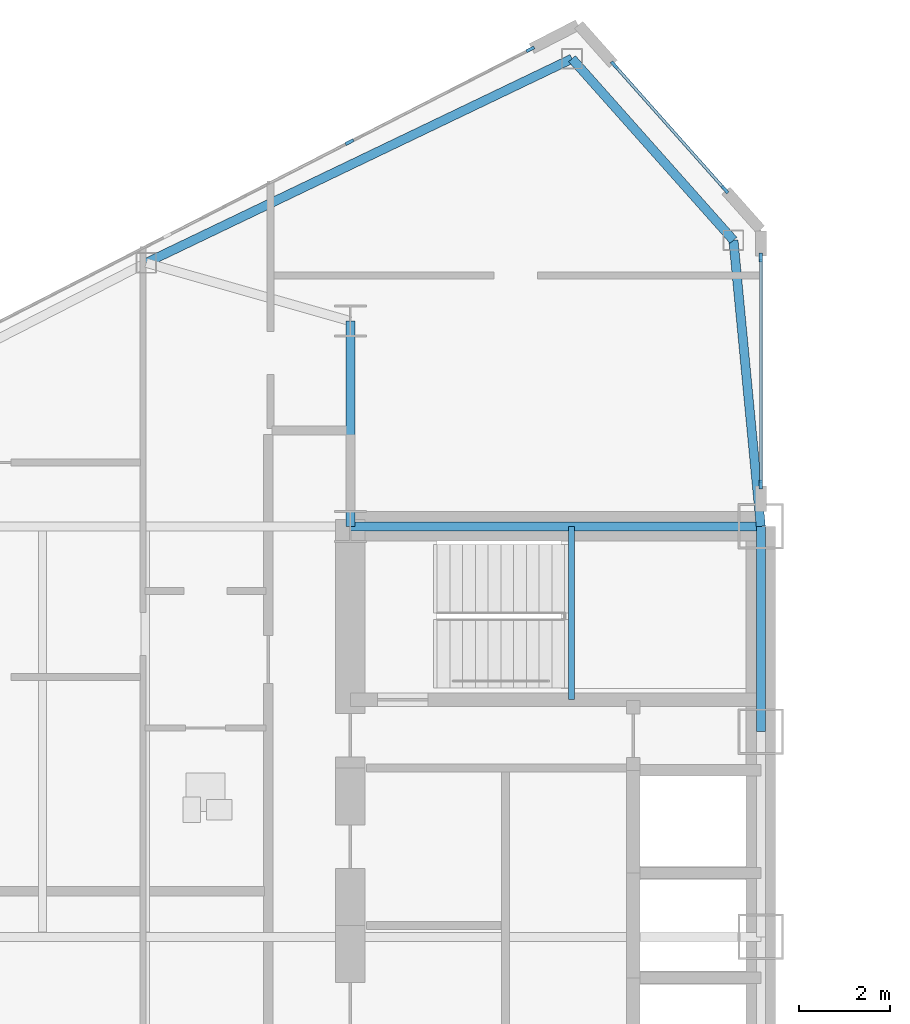
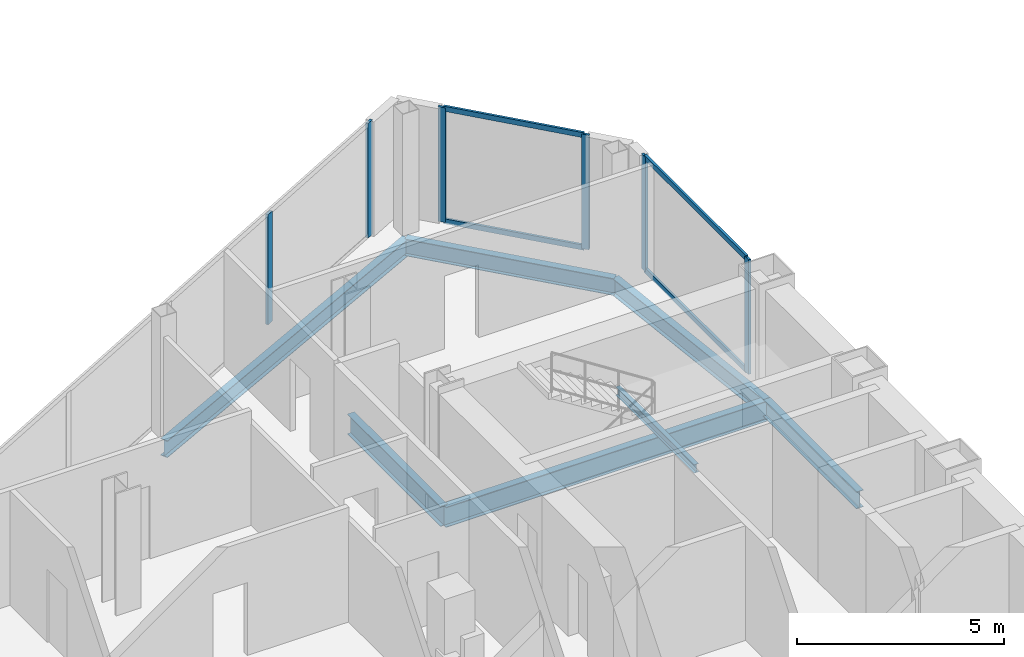
# One storey, part 7 of 24: 10 members, 7 beams, 3 elements without a shape of their own.
"""IFC4 building model written with IfcOpenShell, lengths in metres."""

from ifc_helpers import new_model, si_unit, direction, frame, origin, origin_2d, place, context, subcontext, project, spatial, rectangle, i_section, extrude, source, transform, mapped, material, layer, layer_set, material_profile, profile_set, type_object, type_shapes, element, aggregate, save


model = new_model("IFC4")

# Units and contexts
model_context = context("Model", 3, precision=1e-05, world=origin(), true_north=direction((0.0, 1.0)))
body_context = subcontext(model_context, "Body", "Model", "MODEL_VIEW")
ifc_project = project(units=[si_unit("LENGTHUNIT", "METRE"), si_unit("AREAUNIT", "SQUARE_METRE"), si_unit("VOLUMEUNIT", "CUBIC_METRE"), si_unit("PLANEANGLEUNIT", "RADIAN"), si_unit("MASSUNIT", "GRAM", prefix="KILO")], contexts=[model_context])

# Site, building, storey
site_placement = place(None, origin())
site = spatial("IfcSite", under=ifc_project, at=site_placement, CompositionType="ELEMENT")
building_placement = place(site_placement, origin())
building = spatial("IfcBuilding", under=site, at=building_placement, Name="Seokmaru Belvedere", CompositionType="ELEMENT")
storey_placement = place(building_placement, frame((0.0, 0.0, 114.0)))
storey = spatial("IfcBuildingStorey", under=building, at=storey_placement, Name="L30", CompositionType="ELEMENT", Elevation=114.0)

# Beams
ifc_material_1 = material(Name="Steel SM355 (355 MPa)", Category="steel")
ifc_material_profile_1 = material_profile(ifc_material_1, i_section(OverallWidth=0.199951171875, OverallDepth=0.5, WebThickness=0.010009765625, FlangeThickness=0.01611328125, at=origin_2d()), Name="H-500x200x10x16")
ifc_profile_set_1 = profile_set([ifc_material_profile_1], Name="Steel SM355 (355 MPa)")
beam_type_1 = type_object("IfcBeamType", Name="Perimeter Spandrel Beam H-500", PredefinedType="SPANDREL", material=ifc_profile_set_1)
shared_shape_1 = source(origin(), body_context, "Body", "SweptSolid", [
    extrude(i_section(OverallWidth=0.199951171875, OverallDepth=0.5, WebThickness=0.010009765625, FlangeThickness=0.01611328125, at=origin_2d()), origin(), (0.0, 0.0, 1.0), 4.5),
])
beam_1_placement = place(storey_placement, frame((-27.5, 9.0, -0.469970703125), z_axis=(0.0, 1.0, 0.0), x_axis=(-1.0, 0.0, 0.0)))
element("IfcBeam", 1, at=beam_1_placement, inside=storey, type_object=beam_type_1, Name="L30 W Portal Spine Spandrel 5", PredefinedType="SPANDREL", context=body_context, shape_type="MappedRepresentation", body=[
    mapped(shared_shape_1, transform((0.0, 0.0, 0.0), scale=1.0)),
])
ifc_material_profile_2 = material_profile(ifc_material_1, i_section(OverallWidth=0.199951171875, OverallDepth=0.60009765625, WebThickness=0.010986328125, FlangeThickness=0.01708984375, at=origin_2d()), Name="H-600x200x11x17")
ifc_profile_set_2 = profile_set([ifc_material_profile_2], Name="Steel SM355 (355 MPa)")
beam_type_2 = type_object("IfcBeamType", Name="Primary Floor Girder H-600", PredefinedType="BEAM", material=ifc_profile_set_2)
shared_shape_2 = source(origin(), body_context, "Body", "SweptSolid", [
    extrude(i_section(OverallWidth=0.199951171875, OverallDepth=0.60009765625, WebThickness=0.010986328125, FlangeThickness=0.01708984375, at=origin_2d()), origin(), (0.0, 0.0, 1.0), 9.0),
])
beam_2_placement = place(storey_placement, frame((-36.5, 13.5, -0.52001953125), z_axis=(1.0, 0.0, 0.0), x_axis=(0.0, 1.0, 0.0)))
element("IfcBeam", 2, at=beam_2_placement, inside=storey, type_object=beam_type_2, Name="L30 W Core Tie Girder 4", PredefinedType="BEAM", context=body_context, shape_type="MappedRepresentation", body=[
    mapped(shared_shape_2, transform((0.0, 0.0, 0.0), scale=1.0)),
])
shared_shape_3 = source(origin(), body_context, "Body", "SweptSolid", [
    extrude(i_section(OverallWidth=0.199951171875, OverallDepth=0.60009765625, WebThickness=0.010986328125, FlangeThickness=0.01708984375, at=origin_2d()), origin(), (0.0, 0.0, 1.0), 4.5),
])
type_shapes(beam_type_2, [shared_shape_2, shared_shape_3])
beam_3_placement = place(storey_placement, frame((-36.5, 13.5, -0.52001953125), z_axis=(0.0, 1.0, 0.0), x_axis=(-1.0, 0.0, 0.0)))
element("IfcBeam", 3, at=beam_3_placement, inside=storey, type_object=beam_type_2, Name="L30 W Core Shoulder Girder N", PredefinedType="BEAM", context=body_context, shape_type="MappedRepresentation", body=[
    mapped(shared_shape_3, transform((0.0, 0.0, 0.0), scale=1.0)),
])
shared_shape_4 = source(origin(), body_context, "Body", "SweptSolid", [
    extrude(i_section(OverallWidth=0.199951171875, OverallDepth=0.5, WebThickness=0.010009765625, FlangeThickness=0.01611328125, at=origin_2d()), origin(), (0.0, 0.0, 1.0), 10.353759765625),
])
beam_4_placement = place(storey_placement, frame((-31.6396484375, 23.75390625, -0.469970703125), z_axis=(-0.901713202822, -0.432334708134, 0.0), x_axis=(0.432334708134, -0.901713202822, 0.0)))
element("IfcBeam", 4, at=beam_4_placement, inside=storey, type_object=beam_type_1, Name="L30 W Faceted Flank Spandrel N-1", PredefinedType="SPANDREL", context=body_context, shape_type="MappedRepresentation", body=[
    mapped(shared_shape_4, transform((0.0, 0.0, 0.0), scale=1.0)),
])
shared_shape_5 = source(origin(), body_context, "Body", "SweptSolid", [
    extrude(i_section(OverallWidth=0.199951171875, OverallDepth=0.5, WebThickness=0.010009765625, FlangeThickness=0.01611328125, at=origin_2d()), origin(), (0.0, 0.0, 1.0), 5.32763671875),
])
beam_5_placement = place(storey_placement, frame((-31.6396484375, 23.75390625, -0.469970703125), z_axis=(0.66436952742, -0.74740426212, 0.0), x_axis=(0.74740426212, 0.66436952742, 0.0)))
element("IfcBeam", 5, at=beam_5_placement, inside=storey, type_object=beam_type_1, Name="L30 W Shoulder Chamfer Spandrel N", PredefinedType="SPANDREL", context=body_context, shape_type="MappedRepresentation", body=[
    mapped(shared_shape_5, transform((0.0, 0.0, 0.0), scale=1.0)),
])
shared_shape_6 = source(origin(), body_context, "Body", "SweptSolid", [
    extrude(i_section(OverallWidth=0.199951171875, OverallDepth=0.5, WebThickness=0.010009765625, FlangeThickness=0.01611328125, at=origin_2d()), origin(), (0.0, 0.0, 1.0), 6.300537109375),
])
type_shapes(beam_type_1, [shared_shape_1, shared_shape_4, shared_shape_5, shared_shape_6])
beam_6_placement = place(storey_placement, frame((-28.10009765625, 19.77197265625, -0.469970703125), z_axis=(0.095244287992, -0.995453929424, 0.0), x_axis=(0.995453929424, 0.095244287992, 0.0)))
element("IfcBeam", 6, at=beam_6_placement, inside=storey, type_object=beam_type_1, Name="L30 W Shoulder Spine Spandrel N", PredefinedType="SPANDREL", context=body_context, shape_type="MappedRepresentation", body=[
    mapped(shared_shape_6, transform((0.0, 0.0, 0.0), scale=1.0)),
])

# Curtain wall, members
ifc_material_2 = material(Name="Bronze Triple Insulating Glass", Category="glass")
ifc_layer = layer(ifc_material_2, 0.195068359375)
ifc_layer_set = layer_set([ifc_layer], Name="Bronze Triple Insulating Glass")
curtain_wall_type = type_object("IfcCurtainWallType", Name="Sky-Lobby and Mid-Rise Curtain Wall System CW-4", PredefinedType="NOTDEFINED", material=ifc_layer_set)
curtain_wall_1_placement = place(storey_placement, origin())
curtain_wall_1 = element("IfcCurtainWall", 7, at=curtain_wall_1_placement, inside=storey, type_object=curtain_wall_type, Name="L30 Curtain Wall WSP_2", PredefinedType="NOTDEFINED")
ifc_material_3 = material(Name="Anodised Bronze Aluminium", Category="aluminium")
ifc_material_profile_3 = material_profile(ifc_material_3, rectangle(XDim=0.070068359375, YDim=0.195068359375, at=origin_2d()), Name="CW-M-70x195")
ifc_profile_set_3 = profile_set([ifc_material_profile_3], Name="Anodised Bronze Aluminium")
member_type_1 = type_object("IfcMemberType", Name="Bronze Unitised Mullion 70x195", PredefinedType="MULLION", material=ifc_profile_set_3)
shared_shape_7 = source(origin(), body_context, "Body", "SweptSolid", [
    extrude(rectangle(XDim=0.070068359375, YDim=0.195068359375, at=origin_2d()), origin(), (0.0, 0.0, 1.0), 3.3798828125),
])
member_1_placement = place(storey_placement, frame((-27.5, 14.4150390625, 0.0), z_axis=(0.0, 0.0, 1.0), x_axis=(-1.0, 0.0, 0.0)))
member_1 = element("IfcMember", 8, at=member_1_placement, type_object=member_type_1, Name="CW:L30:WSP_2 Mullion 1", PredefinedType="MULLION", context=body_context, shape_type="MappedRepresentation", body=[
    mapped(shared_shape_7, transform((0.0, 0.0, 0.0), scale=1.0)),
])
member_2_placement = place(storey_placement, frame((-27.5, 19.39501953125, 0.0), z_axis=(0.0, 0.0, 1.0), x_axis=(-1.0, 0.0, 0.0)))
member_2 = element("IfcMember", 9, at=member_2_placement, type_object=member_type_1, Name="CW:L30:WSP_2 Mullion 2", PredefinedType="MULLION", context=body_context, shape_type="MappedRepresentation", body=[
    mapped(shared_shape_7, transform((0.0, 0.0, 0.0), scale=1.0)),
])

curtain_wall_2_placement = place(storey_placement, origin())
curtain_wall_2 = element("IfcCurtainWall", 10, at=curtain_wall_2_placement, inside=storey, type_object=curtain_wall_type, Name="L30 Curtain Wall WF2", PredefinedType="NOTDEFINED")
member_3_placement = place(storey_placement, frame((-28.287353515625, 20.8857421875, 0.0), z_axis=(0.0, 0.0, 1.0), x_axis=(-0.747409774804, -0.664363325694, 0.0)))
member_3 = element("IfcMember", 11, at=member_3_placement, type_object=member_type_1, Name="CW:L30:WF2 Mullion 1", PredefinedType="MULLION", context=body_context, shape_type="MappedRepresentation", body=[
    mapped(shared_shape_7, transform((0.0, 0.0, 0.0), scale=1.0)),
])
member_4_placement = place(storey_placement, frame((-30.712646484375, 23.6142578125, 0.0), z_axis=(0.0, 0.0, 1.0), x_axis=(-0.747409774804, -0.664363325694, 0.0)))
member_4 = element("IfcMember", 12, at=member_4_placement, type_object=member_type_1, Name="CW:L30:WF2 Mullion 2", PredefinedType="MULLION", context=body_context, shape_type="MappedRepresentation", body=[
    mapped(shared_shape_7, transform((0.0, 0.0, 0.0), scale=1.0)),
])

# Curtain wall, member
curtain_wall_3_placement = place(storey_placement, origin())
curtain_wall_3 = element("IfcCurtainWall", 13, at=curtain_wall_3_placement, inside=storey, type_object=curtain_wall_type, Name="L30 Curtain Wall WF3", PredefinedType="NOTDEFINED")
member_5_placement = place(storey_placement, frame((-32.55419921875, 23.958984375, 0.0), z_axis=(0.0, 0.0, 1.0), x_axis=(0.456554528263, -0.889695432562, 0.0)))
member_5 = element("IfcMember", 14, at=member_5_placement, type_object=member_type_1, Name="CW:L30:WF3 Mullion 1", PredefinedType="MULLION", context=body_context, shape_type="MappedRepresentation", body=[
    mapped(shared_shape_7, transform((0.0, 0.0, 0.0), scale=1.0)),
])

# Member
ifc_material_profile_4 = material_profile(ifc_material_3, rectangle(XDim=0.06494140625, YDim=0.14990234375, at=origin_2d()), Name="CW-T-65x150")
ifc_profile_set_4 = profile_set([ifc_material_profile_4], Name="Anodised Bronze Aluminium")
member_type_2 = type_object("IfcMemberType", Name="Bronze Unitised Transom 65x150", PredefinedType="USERDEFINED", material=ifc_profile_set_4)
shared_shape_8 = source(origin(), body_context, "Body", "SweptSolid", [
    extrude(rectangle(XDim=0.06494140625, YDim=0.14990234375, at=origin_2d()), origin(), (0.0, 0.0, 1.0), 4.91015625),
])
member_6_placement = place(storey_placement, frame((-27.5, 14.449951171875, 0.032470703125), z_axis=(0.0, 1.0, 0.0), x_axis=(-1.0, 0.0, 0.0)))
member_6 = element("IfcMember", 15, at=member_6_placement, type_object=member_type_2, Name="CW:L30:WSP_2 Continuous Transom 1", ObjectType="TRANSOM", PredefinedType="USERDEFINED", context=body_context, shape_type="MappedRepresentation", body=[
    mapped(shared_shape_8, transform((0.0, 0.0, 0.0), scale=1.0)),
])

member_7_placement = place(storey_placement, frame((-27.5, 14.449951171875, 3.347412109375), z_axis=(0.0, 1.0, 0.0), x_axis=(-1.0, 0.0, 0.0)))
member_7 = element("IfcMember", 16, at=member_7_placement, type_object=member_type_2, Name="CW:L30:WSP_2 Continuous Transom 2", ObjectType="TRANSOM", PredefinedType="USERDEFINED", context=body_context, shape_type="MappedRepresentation", body=[
    mapped(shared_shape_8, transform((0.0, 0.0, 0.0), scale=1.0)),
])

aggregate(curtain_wall_1, [member_1, member_2, member_6, member_7])

shared_shape_9 = source(origin(), body_context, "Body", "SweptSolid", [
    extrude(rectangle(XDim=0.06494140625, YDim=0.14990234375, at=origin_2d()), origin(), (0.0, 0.0, 1.0), 3.580810546875),
])
type_shapes(member_type_2, [shared_shape_8, shared_shape_9])
member_8_placement = place(storey_placement, frame((-28.310546875, 20.911865234375, 0.032470703125), z_axis=(-0.66436383883, 0.747409318684, 0.0), x_axis=(-0.747409318684, -0.66436383883, 0.0)))
member_8 = element("IfcMember", 17, at=member_8_placement, type_object=member_type_2, Name="CW:L30:WF2 Continuous Transom 1", ObjectType="TRANSOM", PredefinedType="USERDEFINED", context=body_context, shape_type="MappedRepresentation", body=[
    mapped(shared_shape_9, transform((0.0, 0.0, 0.0), scale=1.0)),
])

member_9_placement = place(storey_placement, frame((-28.310546875, 20.911865234375, 3.347412109375), z_axis=(-0.66436383883, 0.747409318684, 0.0), x_axis=(-0.747409318684, -0.66436383883, 0.0)))
member_9 = element("IfcMember", 18, at=member_9_placement, type_object=member_type_2, Name="CW:L30:WF2 Continuous Transom 2", ObjectType="TRANSOM", PredefinedType="USERDEFINED", context=body_context, shape_type="MappedRepresentation", body=[
    mapped(shared_shape_9, transform((0.0, 0.0, 0.0), scale=1.0)),
])

aggregate(curtain_wall_2, [member_3, member_4, member_8, member_9])

shared_shape_10 = source(origin(), body_context, "Body", "SweptSolid", [
    extrude(rectangle(XDim=0.070068359375, YDim=0.195068359375, at=origin_2d()), origin(), (0.0, 0.0, 1.0), 3.25),
])
type_shapes(member_type_1, [shared_shape_7, shared_shape_10])
member_10_placement = place(storey_placement, frame((-36.51806640625, 21.925048828125, 0.06494140625), z_axis=(0.0, 0.0, 1.0), x_axis=(0.456554528263, -0.889695432562, 0.0)))
member_10 = element("IfcMember", 19, at=member_10_placement, type_object=member_type_1, Name="CW:L30:WF3 Mullion 2", PredefinedType="MULLION", context=body_context, shape_type="MappedRepresentation", body=[
    mapped(shared_shape_10, transform((0.0, 0.0, 0.0), scale=1.0)),
])

aggregate(curtain_wall_3, [member_5, member_10])

# Beam
ifc_material_profile_5 = material_profile(ifc_material_1, i_section(OverallWidth=0.125, OverallDepth=0.25, WebThickness=0.006103515625, FlangeThickness=0.009033203125, at=origin_2d()), Name="H-250x125x6x9")
ifc_profile_set_5 = profile_set([ifc_material_profile_5], Name="Steel SM355 (355 MPa)")
beam_type_3 = type_object("IfcBeamType", Name="Stair Mid-Landing Support Beam H-250", PredefinedType="JOIST", material=ifc_profile_set_5)
shared_shape_11 = source(origin(), body_context, "Body", "SweptSolid", [
    extrude(i_section(OverallWidth=0.125, OverallDepth=0.25, WebThickness=0.006103515625, FlangeThickness=0.009033203125, at=origin_2d()), origin(), (0.0, 0.0, 1.0), 3.800048828125),
])
type_shapes(beam_type_3, [shared_shape_11])
beam_7_placement = place(storey_placement, frame((-31.64990234375, 9.699951171875, 1.47509765625), z_axis=(0.0, 1.0, 0.0), x_axis=(-1.0, 0.0, 0.0)))
element("IfcBeam", 20, at=beam_7_placement, inside=storey, type_object=beam_type_3, Name="L30 Stair ST-W2 Mid-Landing Support Beam 1", PredefinedType="JOIST", context=body_context, shape_type="MappedRepresentation", body=[
    mapped(shared_shape_11, transform((0.0, 0.0, 0.0), scale=1.0)),
])

save(model, "model.ifc")
